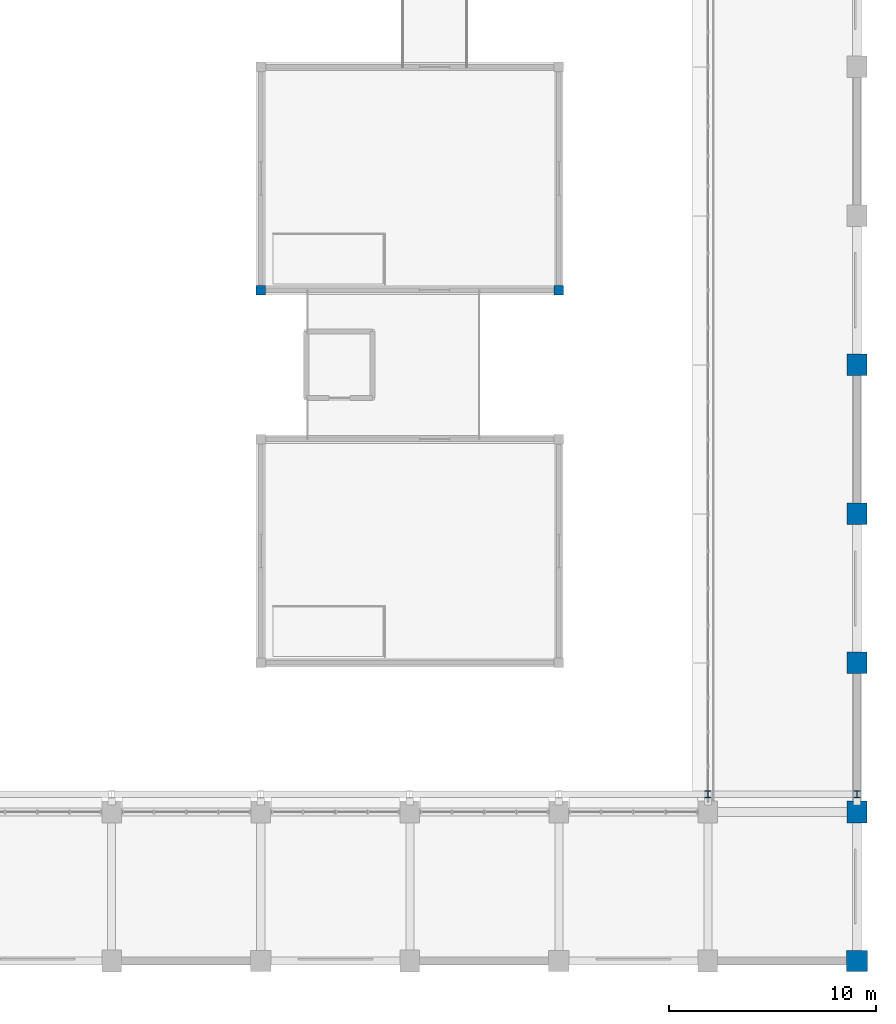
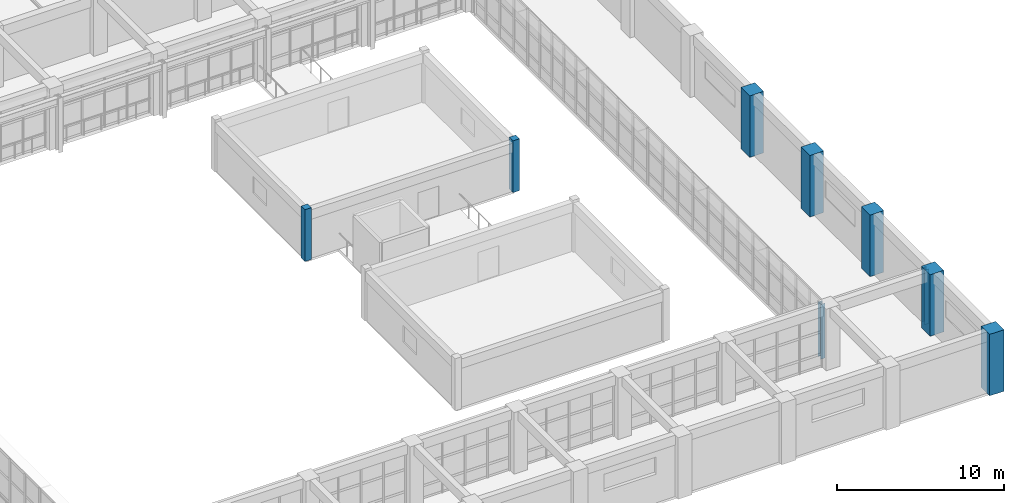
# One storey, part 7 of 171: 9 columns.
"""IFC4 building model written with IfcOpenShell, lengths in metres."""

from ifc_helpers import new_model, si_unit, direction, frame, origin, origin_2d, place, context, subcontext, project, spatial, rectangle, i_section, extrude, material, material_profile, profile_set, type_object, element, save


model = new_model("IFC4")

# Units and contexts
model_context = context("Model", 3, precision=1e-05, world=origin(), true_north=direction((0.0, 1.0)))
body_context = subcontext(model_context, "Body", "Model", "MODEL_VIEW")
ifc_project = project(units=[si_unit("LENGTHUNIT", "METRE"), si_unit("AREAUNIT", "SQUARE_METRE"), si_unit("VOLUMEUNIT", "CUBIC_METRE"), si_unit("PLANEANGLEUNIT", "RADIAN"), si_unit("MASSUNIT", "GRAM", prefix="KILO")], contexts=[model_context])

# Site, building, storey
site_placement = place(None, origin())
site = spatial("IfcSite", under=ifc_project, at=site_placement, CompositionType="ELEMENT")
building_placement = place(site_placement, origin())
building = spatial("IfcBuilding", under=site, at=building_placement, Name="Thalmaran Polytechnic", CompositionType="ELEMENT")
storey_placement = place(building_placement, frame((0.0, 0.0, 5.39990234375)))
storey = spatial("IfcBuildingStorey", under=building, at=storey_placement, Name="L01", CompositionType="ELEMENT", Elevation=5.39990234375)

# Columns
ifc_material_1 = material(Name="Concrete C40/50", Category="concrete")
ifc_material_profile_1 = material_profile(ifc_material_1, rectangle(XDim=0.449951171875, YDim=0.449951171875, at=origin_2d()), Name="RC 450x450")
ifc_profile_set_1 = profile_set([ifc_material_profile_1], Name="Concrete C40/50")
column_type_1 = type_object("IfcColumnType", Name="COL-C10", PredefinedType="COLUMN", material=ifc_profile_set_1)
for number, where, z_axis, x_axis, name in (
    (1, (144.0, 32.39990234375, 0.0), (0.0, 0.0, 1.0), (1.0, 0.0, 0.0), "POD4 Upper Column L01"),
    (2, (158.39990234375, 32.39990234375, 0.0), (0.0, 0.0, 1.0), (1.0, 0.0, 0.0), "POD4 Upper Column L01"),
):
    element("IfcColumn", number, at=place(storey_placement, frame(where, z_axis=z_axis, x_axis=x_axis)), inside=storey, type_object=column_type_1, Name=name, PredefinedType="COLUMN", context=body_context, shape_type="SweptSolid", body=[
        extrude(rectangle(XDim=0.449951171875, YDim=0.449951171875, at=origin_2d()), origin(), (0.0, 0.0, 1.0), 3.800048828125),
    ])
ifc_material_2 = material(Name="Steel S355", Category="steel")
ifc_material_profile_2 = material_profile(ifc_material_2, i_section(OverallWidth=0.300048828125, OverallDepth=0.340087890625, WebThickness=0.011962890625, FlangeThickness=0.021484375, at=origin_2d()), Name="HEB 340")
ifc_profile_set_2 = profile_set([ifc_material_profile_2], Name="Steel S355")
column_type_2 = type_object("IfcColumnType", Name="COL-SC1", PredefinedType="COLUMN", material=ifc_profile_set_2)
for number, where, z_axis, x_axis, name in (
    (3, (165.60009765625, 8.050048828125, 0.0), (0.0, 0.0, 1.0), (1.0, 0.0, 0.0), "Workshop Crane Runway Column L01 (23,1)"),
    (4, (172.800048828125, 8.050048828125, 0.0), (0.0, 0.0, 1.0), (1.0, 0.0, 0.0), "Workshop Crane Runway Column L01 (24,1)"),
):
    element("IfcColumn", number, at=place(storey_placement, frame(where, z_axis=z_axis, x_axis=x_axis)), inside=storey, type_object=column_type_2, Name=name, PredefinedType="COLUMN", context=body_context, shape_type="SweptSolid", body=[
        extrude(i_section(OverallWidth=0.300048828125, OverallDepth=0.340087890625, WebThickness=0.011962890625, FlangeThickness=0.021484375, at=origin_2d()), origin(), (0.0, 0.0, 1.0), 4.0),
    ])
ifc_material_3 = material(Name="Concrete C50/60", Category="concrete")
ifc_material_profile_3 = material_profile(ifc_material_3, rectangle(XDim=1.0, YDim=1.0, at=origin_2d()), Name="RC 1000x1000")
ifc_profile_set_3 = profile_set([ifc_material_profile_3], Name="Concrete C50/60")
column_type_3 = type_object("IfcColumnType", Name="COL-WP1", PredefinedType="COLUMN", material=ifc_profile_set_3)
column_placement = place(storey_placement, frame((172.800048828125, 0.0, 0.0), z_axis=(0.0, 0.0, 1.0), x_axis=(1.0, 0.0, 0.0)))
element("IfcColumn", 5, at=column_placement, inside=storey, type_object=column_type_3, Name="Column WP1 L01 (24,0)", PredefinedType="COLUMN", context=body_context, shape_type="SweptSolid", body=[
    extrude(rectangle(XDim=1.0, YDim=1.0, at=origin_2d()), origin(), (0.0, 0.0, 1.0), 4.5),
])
ifc_material_profile_4 = material_profile(ifc_material_3, rectangle(XDim=0.949951171875, YDim=1.050048828125, at=origin_2d()), Name="RC 950x1050")
ifc_profile_set_4 = profile_set([ifc_material_profile_4], Name="Concrete C50/60")
column_type_4 = type_object("IfcColumnType", Name="COL-WP2", PredefinedType="COLUMN", material=ifc_profile_set_4)
for number, where, z_axis, x_axis, name in (
    (6, (172.800048828125, 7.199951171875, 0.0), (0.0, 0.0, 1.0), (1.0, 0.0, 0.0), "Column WP2 L01 (24,1)"),
    (7, (172.800048828125, 14.39990234375, 0.0), (0.0, 0.0, 1.0), (1.0, 0.0, 0.0), "Column WP2 L01 (24,2)"),
    (8, (172.800048828125, 21.60009765625, 0.0), (0.0, 0.0, 1.0), (1.0, 0.0, 0.0), "Column WP2 L01 (24,3)"),
    (9, (172.800048828125, 28.800048828125, 0.0), (0.0, 0.0, 1.0), (1.0, 0.0, 0.0), "Column WP2 L01 (24,4)"),
):
    element("IfcColumn", number, at=place(storey_placement, frame(where, z_axis=z_axis, x_axis=x_axis)), inside=storey, type_object=column_type_4, Name=name, PredefinedType="COLUMN", context=body_context, shape_type="SweptSolid", body=[
        extrude(rectangle(XDim=0.949951171875, YDim=1.050048828125, at=origin_2d()), origin(), (0.0, 0.0, 1.0), 4.5),
    ])

save(model, "model.ifc")
